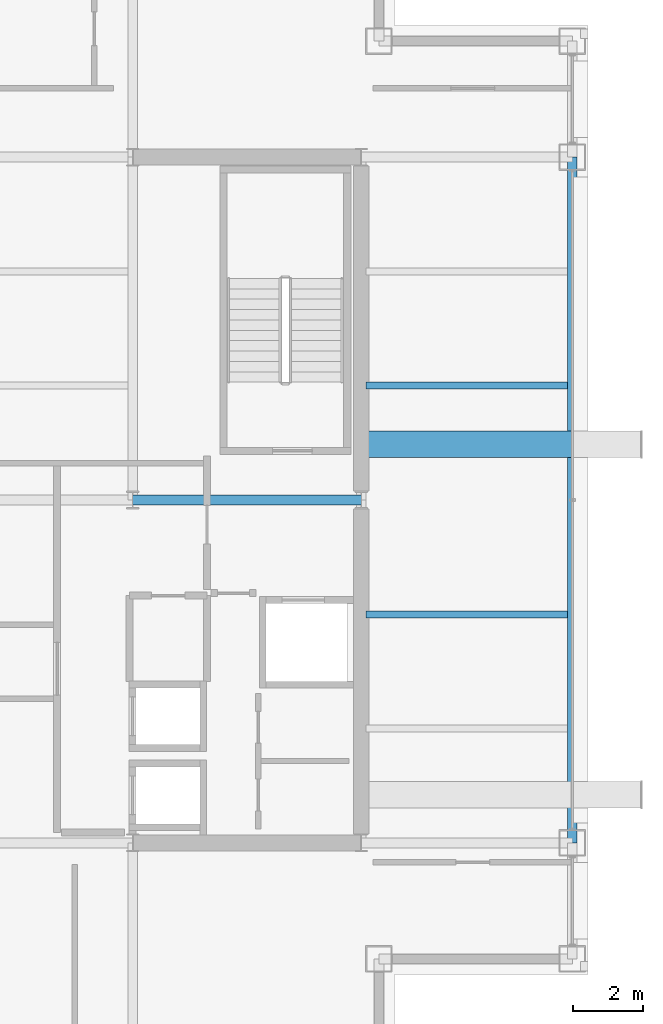
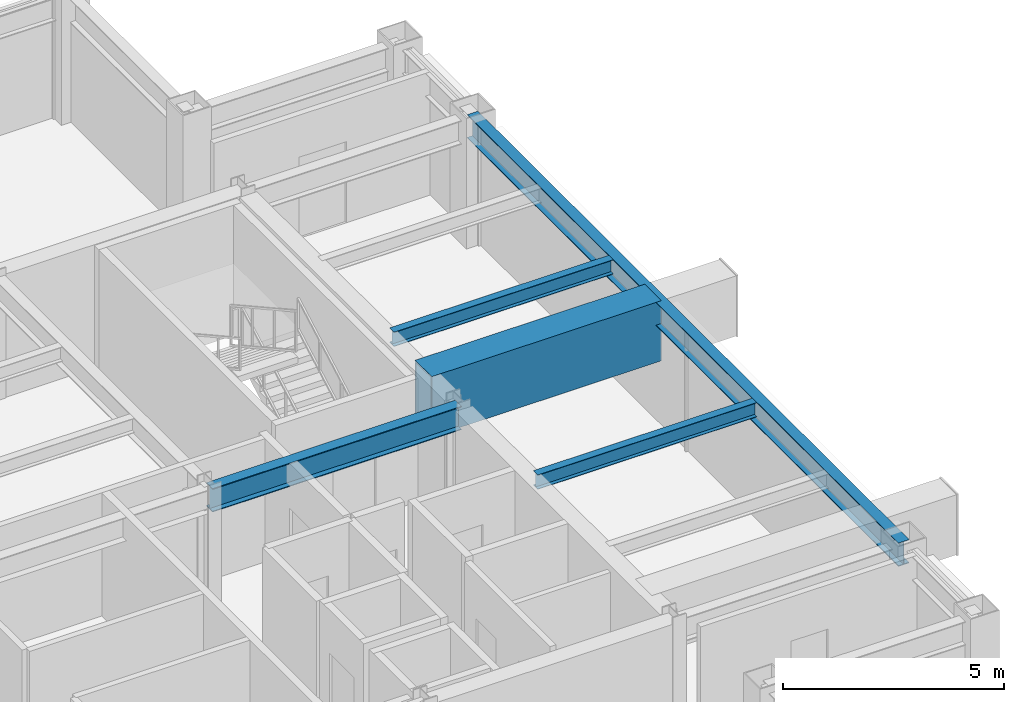
# One storey, part 14 of 26: 5 beams.
"""IFC4 building model written with IfcOpenShell, lengths in metres."""

from ifc_helpers import new_model, si_unit, direction, frame, origin, origin_2d, place, context, subcontext, project, spatial, hollow_rectangle, i_section, extrude, material, material_profile, profile_set, type_object, element, save


model = new_model("IFC4")

# Units and contexts
model_context = context("Model", 3, precision=1e-05, world=origin(), true_north=direction((0.0, 1.0)))
body_context = subcontext(model_context, "Body", "Model", "MODEL_VIEW")
ifc_project = project(units=[si_unit("LENGTHUNIT", "METRE"), si_unit("AREAUNIT", "SQUARE_METRE"), si_unit("VOLUMEUNIT", "CUBIC_METRE"), si_unit("PLANEANGLEUNIT", "RADIAN"), si_unit("MASSUNIT", "GRAM", prefix="KILO")], contexts=[model_context])

# Site, building, storey
site_placement = place(None, origin())
site = spatial("IfcSite", under=ifc_project, at=site_placement, CompositionType="ELEMENT")
building_placement = place(site_placement, origin())
building = spatial("IfcBuilding", under=site, at=building_placement, Name="Brelmoor Portico Tower", CompositionType="ELEMENT")
storey_placement = place(building_placement, frame((0.0, 0.0, 180.300048828125)))
storey = spatial("IfcBuildingStorey", under=building, at=storey_placement, Name="L47", CompositionType="ELEMENT", Elevation=180.300048828125)

# Beams
ifc_material = material(Name="Steel Q355B", Category="steel")
ifc_material_profile_1 = material_profile(ifc_material, i_section(OverallWidth=0.199951171875, OverallDepth=0.39990234375, WebThickness=0.008056640625, FlangeThickness=0.012939453125, at=origin_2d()), Name="HN 400x200x8x13")
ifc_profile_set_1 = profile_set([ifc_material_profile_1], Name="Steel Q355B")
beam_type_1 = type_object("IfcBeamType", Name="BM-JS-400", PredefinedType="JOIST", material=ifc_profile_set_1)
for number, where, z_axis, x_axis, name in (
    (1, (14.68994140625, -3.25, 3.199951171875), (1.0, 0.0, 0.0), (0.0, 1.0, 0.0), "L47 Secondary Wing Joist JS-E10"),
    (2, (14.68994140625, 3.25, 3.199951171875), (1.0, 0.0, 0.0), (0.0, 1.0, 0.0), "L47 Secondary Wing Joist JS-E11"),
):
    element("IfcBeam", number, at=place(storey_placement, frame(where, z_axis=z_axis, x_axis=x_axis)), inside=storey, type_object=beam_type_1, Name=name, PredefinedType="JOIST", context=body_context, shape_type="SweptSolid", body=[
        extrude(i_section(OverallWidth=0.199951171875, OverallDepth=0.39990234375, WebThickness=0.008056640625, FlangeThickness=0.012939453125, at=origin_2d()), origin(), (0.0, 0.0, 1.0), 5.719970703125),
    ])
ifc_material_profile_2 = material_profile(ifc_material, i_section(OverallWidth=0.280029296875, OverallDepth=0.64990234375, WebThickness=0.012939453125, FlangeThickness=0.02197265625, at=origin_2d()), Name="HN 650x280x13x22")
ifc_profile_set_2 = profile_set([ifc_material_profile_2], Name="Steel Q355B")
beam_type_2 = type_object("IfcBeamType", Name="BM-PG-650", PredefinedType="BEAM", material=ifc_profile_set_2)
beam_1_placement = place(storey_placement, frame((8.050048828125, 0.0, 3.074951171875), z_axis=(1.0, 0.0, 0.0), x_axis=(0.0, 1.0, 0.0)))
element("IfcBeam", 3, at=beam_1_placement, inside=storey, type_object=beam_type_2, Name="L47 Primary Floor Girder PG-18", PredefinedType="BEAM", context=body_context, shape_type="SweptSolid", body=[
    extrude(i_section(OverallWidth=0.280029296875, OverallDepth=0.64990234375, WebThickness=0.012939453125, FlangeThickness=0.02197265625, at=origin_2d()), origin(), (0.0, 0.0, 1.0), 6.5),
])
ifc_material_profile_3 = material_profile(ifc_material, i_section(OverallWidth=0.280029296875, OverallDepth=0.64990234375, WebThickness=0.012939453125, FlangeThickness=0.02197265625, at=origin_2d()), Name="HN 650x280x13x22")
ifc_profile_set_3 = profile_set([ifc_material_profile_3], Name="Steel Q355B")
beam_type_3 = type_object("IfcBeamType", Name="BM-SP-650", PredefinedType="SPANDREL", material=ifc_profile_set_3)
beam_2_placement = place(storey_placement, frame((20.550048828125, -9.75, 3.074951171875), z_axis=(0.0, 1.0, 0.0), x_axis=(-1.0, 0.0, 0.0)))
element("IfcBeam", 4, at=beam_2_placement, inside=storey, type_object=beam_type_3, Name="L47 Perimeter Spandrel Beam SP-19", PredefinedType="SPANDREL", context=body_context, shape_type="SweptSolid", body=[
    extrude(i_section(OverallWidth=0.280029296875, OverallDepth=0.64990234375, WebThickness=0.012939453125, FlangeThickness=0.02197265625, at=origin_2d()), origin(), (0.0, 0.0, 1.0), 19.5),
])
ifc_material_profile_4 = material_profile(ifc_material, hollow_rectangle(XDim=0.75, YDim=1.659912109375, WallThickness=0.0419921875, at=origin_2d()), Name="BOX 750x1660x42")
ifc_profile_set_4 = profile_set([ifc_material_profile_4], Name="Steel Q355B")
beam_type_4 = type_object("IfcBeamType", Name="BM-TG-Z2", PredefinedType="BEAM", material=ifc_profile_set_4)
beam_3_placement = place(storey_placement, frame((14.550048828125, 1.580078125, 2.570068359375), z_axis=(1.0, 0.0, 0.0), x_axis=(0.0, 1.0, 0.0)))
element("IfcBeam", 5, at=beam_3_placement, inside=storey, type_object=beam_type_4, Name="L47 Picture-Frame Backspan Transfer Girder PFBS-02", PredefinedType="BEAM", context=body_context, shape_type="SweptSolid", body=[
    extrude(hollow_rectangle(XDim=0.75, YDim=1.659912109375, WallThickness=0.0419921875, at=origin_2d()), origin(), (0.0, 0.0, 1.0), 6.0),
])

save(model, "model.ifc")
